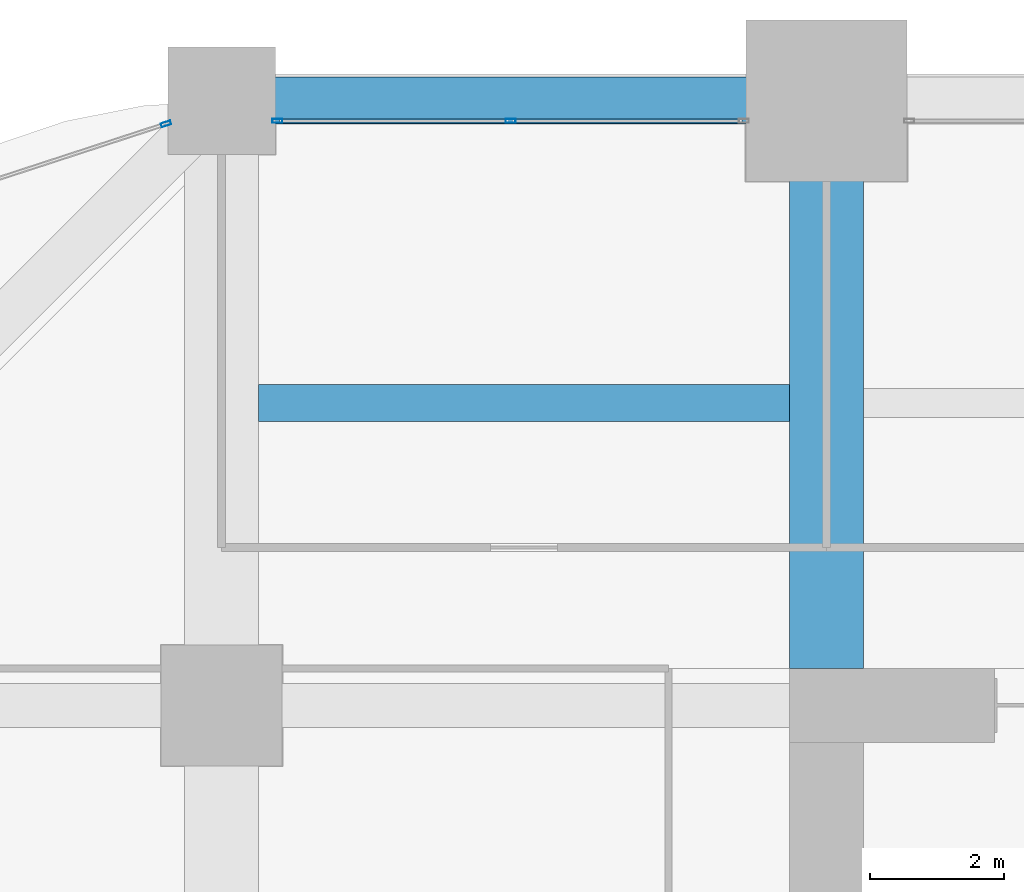
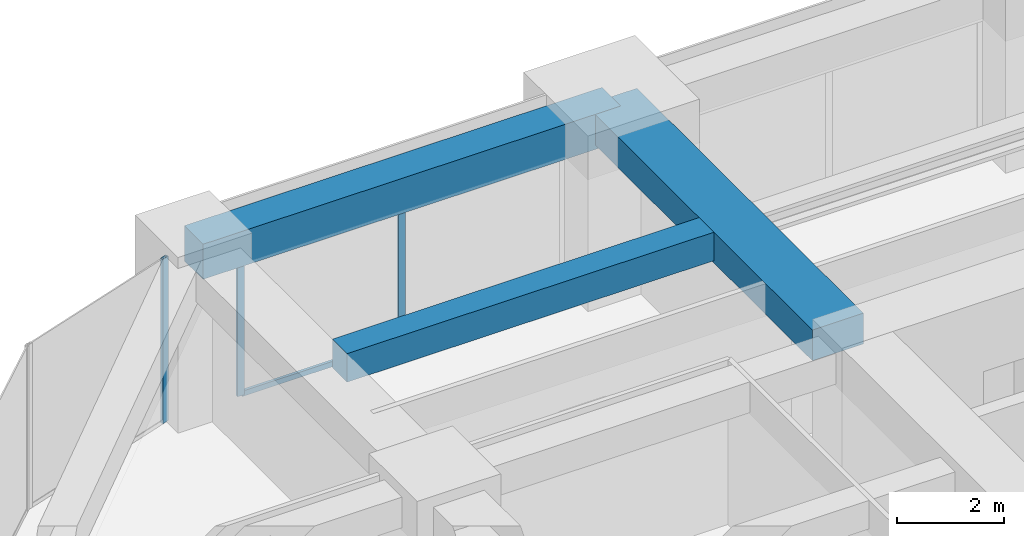
# One storey, part 27 of 41: 4 members, 3 beams, 2 elements without a shape of their own.
"""IFC4 building model written with IfcOpenShell, lengths in metres."""

from ifc_helpers import new_model, si_unit, direction, frame, origin, origin_2d, place, context, subcontext, project, spatial, rectangle, hollow_rectangle, extrude, material, material_profile, profile_set, type_object, element, aggregate, save


model = new_model("IFC4")

# Units and contexts
model_context = context("Model", 3, precision=1e-05, world=origin(), true_north=direction((0.0, 1.0)))
body_context = subcontext(model_context, "Body", "Model", "MODEL_VIEW")
ifc_project = project(units=[si_unit("LENGTHUNIT", "METRE"), si_unit("AREAUNIT", "SQUARE_METRE"), si_unit("VOLUMEUNIT", "CUBIC_METRE"), si_unit("PLANEANGLEUNIT", "RADIAN"), si_unit("MASSUNIT", "GRAM", prefix="KILO")], contexts=[model_context])

# Site, building, storey
site_placement = place(None, origin())
site = spatial("IfcSite", under=ifc_project, at=site_placement, CompositionType="ELEMENT")
building_placement = place(site_placement, origin())
building = spatial("IfcBuilding", under=site, at=building_placement, Name="Zorevar Civic Tower", CompositionType="ELEMENT")
storey_placement = place(building_placement, frame((0.0, 0.0, 137.0)))
storey = spatial("IfcBuildingStorey", under=building, at=storey_placement, Name="L33", CompositionType="ELEMENT", Elevation=137.0)

# Beams
ifc_material_1 = material(Name="Concrete C50/60", Category="concrete")
ifc_material_profile_1 = material_profile(ifc_material_1, rectangle(XDim=1.10009765625, YDim=0.699951171875, at=origin_2d()), Name="RC 1100x700")
ifc_profile_set_1 = profile_set([ifc_material_profile_1], Name="Concrete C50/60")
beam_type_1 = type_object("IfcBeamType", Name="Beam RC 1100x700", PredefinedType="BEAM", material=ifc_profile_set_1)
beam_1_placement = place(storey_placement, frame((18.0, 36.550048828125, 3.39990234375), z_axis=(0.0, 1.0, 0.0), x_axis=(-1.0, 0.0, 0.0)))
element("IfcBeam", 1, at=beam_1_placement, inside=storey, type_object=beam_type_1, Name="Girder L34", PredefinedType="BEAM", context=body_context, shape_type="SweptSolid", body=[
    extrude(rectangle(XDim=1.10009765625, YDim=0.699951171875, at=origin_2d()), origin(), (0.0, 0.0, 1.0), 8.449951171875),
])
ifc_material_2 = material(Name="Concrete C50/60", Category="concrete")
ifc_material_profile_2 = material_profile(ifc_material_2, rectangle(XDim=0.550048828125, YDim=0.64990234375, at=origin_2d()), Name="RC 550x650")
ifc_profile_set_2 = profile_set([ifc_material_profile_2], Name="Concrete C50/60")
beam_type_2 = type_object("IfcBeamType", Name="Beam RC 550x650", PredefinedType="BEAM", material=ifc_profile_set_2)
beam_2_placement = place(storey_placement, frame((9.550048828125, 40.5, 3.425048828125), z_axis=(1.0, 0.0, 0.0), x_axis=(0.0, 1.0, 0.0)))
element("IfcBeam", 2, at=beam_2_placement, inside=storey, type_object=beam_type_2, Name="Secondary beam L34", PredefinedType="BEAM", context=body_context, shape_type="SweptSolid", body=[
    extrude(rectangle(XDim=0.550048828125, YDim=0.64990234375, at=origin_2d()), origin(), (0.0, 0.0, 1.0), 7.89990234375),
])

# Curtain wall, members
ifc_material_3 = material(Name="Dark grey solar-control glass in black aluminium frame", Category="aluminium")
curtain_wall_type = type_object("IfcCurtainWallType", Name="Curtain wall CW3 mid zone", PredefinedType="NOTDEFINED", material=ifc_material_3)
curtain_wall_1_placement = place(storey_placement, origin())
curtain_wall_1 = element("IfcCurtainWall", 3, at=curtain_wall_1_placement, inside=storey, type_object=curtain_wall_type, Name="CW3 L33", PredefinedType="NOTDEFINED")
ifc_material_4 = material(Name="Aluminium, black anodised", Category="aluminium")
ifc_material_profile_3 = material_profile(ifc_material_4, hollow_rectangle(XDim=0.06005859375, YDim=0.14990234375, WallThickness=0.00390625, at=origin_2d()), Name="AL 150x60x4")
ifc_profile_set_3 = profile_set([ifc_material_profile_3], Name="Aluminium, black anodised")
member_type_1 = type_object("IfcMemberType", Name="CW3 mullion AL 150x60x4", PredefinedType="MULLION", material=ifc_profile_set_3)
member_1_placement = place(storey_placement, frame((9.830078125, 44.699951171875, 0.0), z_axis=(0.0, 0.0, 1.0), x_axis=(0.0, 1.0, 0.0)))
member_1 = element("IfcMember", 4, at=member_1_placement, type_object=member_type_1, Name="CW3 mullion 1", PredefinedType="MULLION", context=body_context, shape_type="SweptSolid", body=[
    extrude(hollow_rectangle(XDim=0.06005859375, YDim=0.14990234375, WallThickness=0.00390625, at=origin_2d()), origin(), (0.0, 0.0, 1.0), 2.949951171875),
])
member_2_placement = place(storey_placement, frame((13.300048828125, 44.699951171875, 0.06005859375), z_axis=(0.0, 0.0, 1.0), x_axis=(0.0, 1.0, 0.0)))
member_2 = element("IfcMember", 5, at=member_2_placement, type_object=member_type_1, Name="CW3 mullion 2", PredefinedType="MULLION", context=body_context, shape_type="SweptSolid", body=[
    extrude(hollow_rectangle(XDim=0.06005859375, YDim=0.14990234375, WallThickness=0.00390625, at=origin_2d()), origin(), (0.0, 0.0, 1.0), 2.889892578125),
])

# Curtain wall, member
curtain_wall_2_placement = place(storey_placement, origin())
curtain_wall_2 = element("IfcCurtainWall", 6, at=curtain_wall_2_placement, inside=storey, type_object=curtain_wall_type, Name="CW3 L33", PredefinedType="NOTDEFINED")
member_3_placement = place(storey_placement, frame((8.17138671875, 44.65380859375, 0.0), z_axis=(0.0, 0.0, 1.0), x_axis=(0.310263169163, -0.950650706548, 0.0)))
member_3 = element("IfcMember", 7, at=member_3_placement, type_object=member_type_1, Name="CW3 mullion 1", PredefinedType="MULLION", context=body_context, shape_type="SweptSolid", body=[
    extrude(hollow_rectangle(XDim=0.06005859375, YDim=0.14990234375, WallThickness=0.00390625, at=origin_2d()), origin(), (0.0, 0.0, 1.0), 3.75),
])
aggregate(curtain_wall_2, [member_3])

# Member
ifc_material_5 = material(Name="Aluminium, black anodised", Category="aluminium")
ifc_material_profile_4 = material_profile(ifc_material_5, hollow_rectangle(XDim=0.06005859375, YDim=0.1201171875, WallThickness=0.0029296875, at=origin_2d()), Name="AL 120x60x3")
ifc_profile_set_4 = profile_set([ifc_material_profile_4], Name="Aluminium, black anodised")
member_type_2 = type_object("IfcMemberType", Name="CW3 transom AL 120x60x3", PredefinedType="USERDEFINED", material=ifc_profile_set_4)
member_4_placement = place(storey_placement, frame((9.860107421875, 44.699951171875, 0.030029296875), z_axis=(1.0, 0.0, 0.0), x_axis=(0.0, 1.0, 0.0)))
member_4 = element("IfcMember", 8, at=member_4_placement, type_object=member_type_2, Name="CW3 sill transom", ObjectType="TRANSOM", PredefinedType="USERDEFINED", context=body_context, shape_type="SweptSolid", body=[
    extrude(hollow_rectangle(XDim=0.06005859375, YDim=0.1201171875, WallThickness=0.0029296875, at=origin_2d()), origin(), (0.0, 0.0, 1.0), 6.8798828125),
])

aggregate(curtain_wall_1, [member_1, member_2, member_4])

# Beam
ifc_material_6 = material(Name="Concrete C50/60", Category="concrete")
ifc_material_profile_5 = material_profile(ifc_material_6, rectangle(XDim=0.699951171875, YDim=0.800048828125, at=origin_2d()), Name="RC 700x800")
ifc_profile_set_5 = profile_set([ifc_material_profile_5], Name="Concrete C50/60")
beam_type_3 = type_object("IfcBeamType", Name="Edge beam RC 700x800", PredefinedType="SPANDREL", material=ifc_profile_set_5)
beam_3_placement = place(storey_placement, frame((9.0, 45.0, 3.35009765625), z_axis=(1.0, 0.0, 0.0), x_axis=(0.0, 1.0, 0.0)))
element("IfcBeam", 9, at=beam_3_placement, inside=storey, type_object=beam_type_3, Name="Edge beam L34", PredefinedType="SPANDREL", context=body_context, shape_type="SweptSolid", body=[
    extrude(rectangle(XDim=0.699951171875, YDim=0.800048828125, at=origin_2d()), origin(), (0.0, 0.0, 1.0), 9.0),
])

save(model, "model.ifc")
